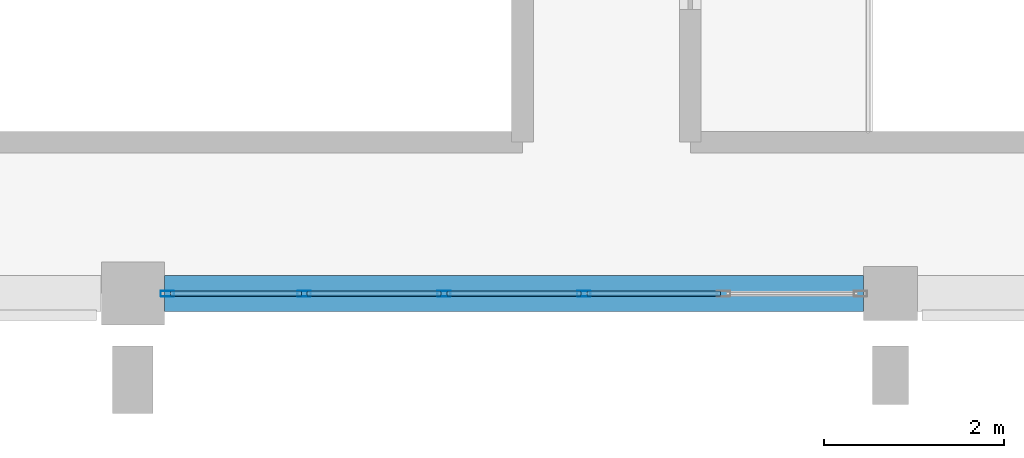
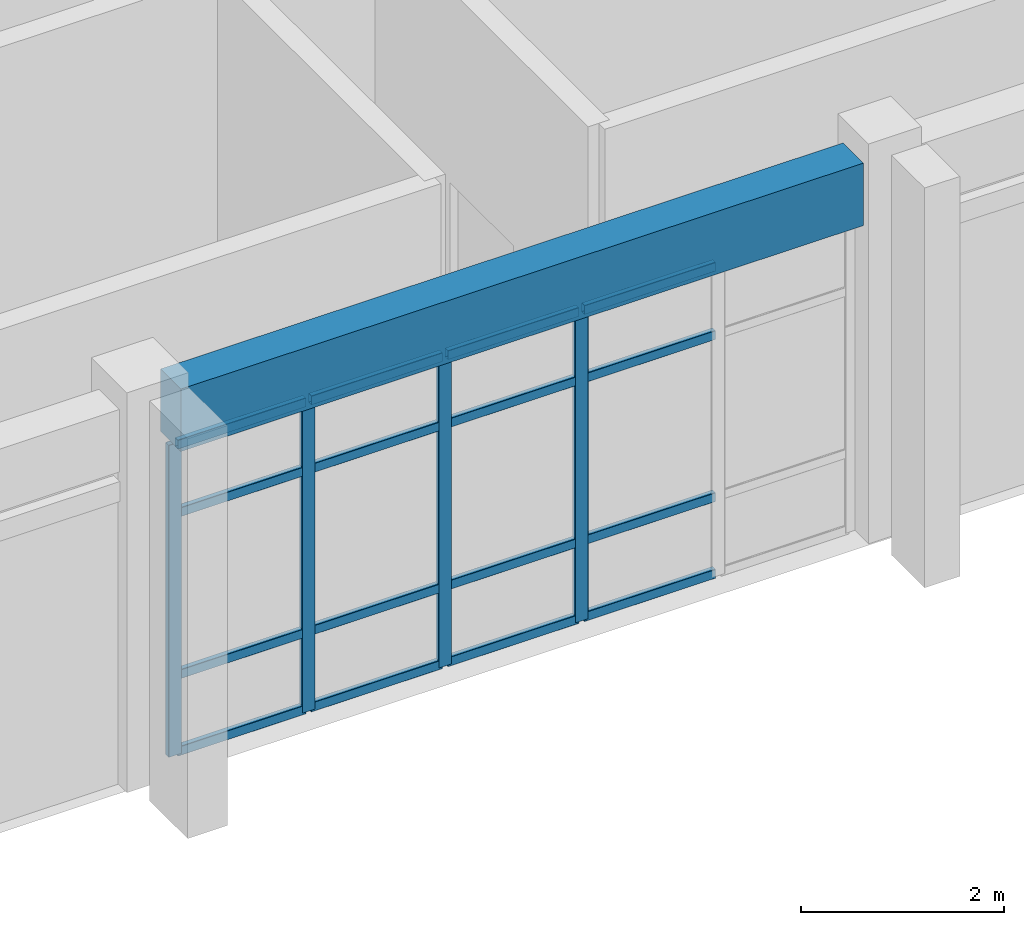
# One storey, part 8 of 98: 20 members, 1 beam, 1 element without a shape of its own.
"""IFC4 building model written with IfcOpenShell, lengths in metres."""

from ifc_helpers import new_model, si_unit, direction, frame, origin, origin_2d, place, context, subcontext, project, spatial, rectangle, hollow_rectangle, extrude, material, material_profile, profile_set, type_object, element, aggregate, save


model = new_model("IFC4")

# Units and contexts
model_context = context("Model", 3, precision=1e-05, world=origin(), true_north=direction((0.0, 1.0)))
body_context = subcontext(model_context, "Body", "Model", "MODEL_VIEW")
ifc_project = project(units=[si_unit("LENGTHUNIT", "METRE"), si_unit("AREAUNIT", "SQUARE_METRE"), si_unit("VOLUMEUNIT", "CUBIC_METRE"), si_unit("PLANEANGLEUNIT", "RADIAN"), si_unit("MASSUNIT", "GRAM", prefix="KILO")], contexts=[model_context])

# Site, building, storey
site_placement = place(None, origin())
site = spatial("IfcSite", under=ifc_project, at=site_placement, CompositionType="ELEMENT")
building_placement = place(site_placement, origin())
building = spatial("IfcBuilding", under=site, at=building_placement, Name="Canglan Escarpment Cableway Terminal", CompositionType="ELEMENT")
storey_placement = place(building_placement, frame((0.0, 0.0, 9.60009765625)))
storey = spatial("IfcBuildingStorey", under=building, at=storey_placement, Name="L02", CompositionType="ELEMENT", Elevation=9.60009765625)

# Curtain wall, members
ifc_material_1 = material(Name="Anodized bronze aluminium and Low-E double glazing", Category="aluminium")
curtain_wall_type = type_object("IfcCurtainWallType", Name="CW-BAY-7750x3750", PredefinedType="NOTDEFINED", material=ifc_material_1)
curtain_wall_placement = place(storey_placement, origin())
curtain_wall = element("IfcCurtainWall", 1, at=curtain_wall_placement, inside=storey, type_object=curtain_wall_type, Name="Classical bay-between-piers glazed curtain wall CW-07", PredefinedType="NOTDEFINED")
ifc_material_2 = material(Name="Thermally broken anodized aluminium 6063-T6", Category="aluminium")
ifc_material_profile_1 = material_profile(ifc_material_2, hollow_rectangle(XDim=0.06494140625, YDim=0.14990234375, WallThickness=0.00341796875, InnerFilletRadius=0.00341796875, OuterFilletRadius=0.007080078125, at=origin_2d()), Name="ALU-MULL 65x150x3.5")
ifc_profile_set_1 = profile_set([ifc_material_profile_1], Name="Thermally broken anodized aluminium 6063-T6")
member_type_1 = type_object("IfcMemberType", Name="CWM-02", PredefinedType="MULLION", material=ifc_profile_set_1)
member_1_placement = place(storey_placement, frame((59.6826171875, 8.0, 0.0), z_axis=(0.0, 0.0, 1.0), x_axis=(0.0, 1.0, 0.0)))
member_1 = element("IfcMember", 2, at=member_1_placement, type_object=member_type_1, Name="CW-07 mullion 1", PredefinedType="MULLION", context=body_context, shape_type="SweptSolid", body=[
    extrude(hollow_rectangle(XDim=0.06494140625, YDim=0.14990234375, WallThickness=0.00341796875, InnerFilletRadius=0.00341796875, OuterFilletRadius=0.007080078125, at=origin_2d()), origin(), (0.0, 0.0, 1.0), 3.744873046875),
])
member_2_placement = place(storey_placement, frame((61.199951171875, 8.0, 0.0), z_axis=(0.0, 0.0, 1.0), x_axis=(0.0, 1.0, 0.0)))
member_2 = element("IfcMember", 3, at=member_2_placement, type_object=member_type_1, Name="CW-07 mullion 2", PredefinedType="MULLION", context=body_context, shape_type="SweptSolid", body=[
    extrude(hollow_rectangle(XDim=0.06494140625, YDim=0.14990234375, WallThickness=0.00341796875, InnerFilletRadius=0.00341796875, OuterFilletRadius=0.007080078125, at=origin_2d()), origin(), (0.0, 0.0, 1.0), 3.744873046875),
])
member_3_placement = place(storey_placement, frame((62.75, 8.0, 0.0), z_axis=(0.0, 0.0, 1.0), x_axis=(0.0, 1.0, 0.0)))
member_3 = element("IfcMember", 4, at=member_3_placement, type_object=member_type_1, Name="CW-07 mullion 3", PredefinedType="MULLION", context=body_context, shape_type="SweptSolid", body=[
    extrude(hollow_rectangle(XDim=0.06494140625, YDim=0.14990234375, WallThickness=0.00341796875, InnerFilletRadius=0.00341796875, OuterFilletRadius=0.007080078125, at=origin_2d()), origin(), (0.0, 0.0, 1.0), 3.744873046875),
])
member_4_placement = place(storey_placement, frame((64.300048828125, 8.0, 0.0), z_axis=(0.0, 0.0, 1.0), x_axis=(0.0, 1.0, 0.0)))
member_4 = element("IfcMember", 5, at=member_4_placement, type_object=member_type_1, Name="CW-07 mullion 4", PredefinedType="MULLION", context=body_context, shape_type="SweptSolid", body=[
    extrude(hollow_rectangle(XDim=0.06494140625, YDim=0.14990234375, WallThickness=0.00341796875, InnerFilletRadius=0.00341796875, OuterFilletRadius=0.007080078125, at=origin_2d()), origin(), (0.0, 0.0, 1.0), 3.744873046875),
])
ifc_material_profile_2 = material_profile(ifc_material_2, hollow_rectangle(XDim=0.06005859375, YDim=0.110107421875, WallThickness=0.0029296875, InnerFilletRadius=0.0029296875, OuterFilletRadius=0.006103515625, at=origin_2d()), Name="ALU-TRAN 60x110x3")
ifc_profile_set_2 = profile_set([ifc_material_profile_2], Name="Thermally broken anodized aluminium 6063-T6")
member_type_2 = type_object("IfcMemberType", Name="CWT-02", PredefinedType="USERDEFINED", material=ifc_profile_set_2)
member_5_placement = place(storey_placement, frame((59.715087890625, 8.0, 0.02978515625), z_axis=(1.0, 0.0, 0.0), x_axis=(0.0, 1.0, 0.0)))
member_5 = element("IfcMember", 6, at=member_5_placement, type_object=member_type_2, Name="CW-07 transom 1.1", ObjectType="TRANSOM", PredefinedType="USERDEFINED", context=body_context, shape_type="SweptSolid", body=[
    extrude(hollow_rectangle(XDim=0.06005859375, YDim=0.110107421875, WallThickness=0.0029296875, InnerFilletRadius=0.0029296875, OuterFilletRadius=0.006103515625, at=origin_2d()), origin(), (0.0, 0.0, 1.0), 1.452392578125),
])
member_6_placement = place(storey_placement, frame((59.715087890625, 8.0, 0.949951171875), z_axis=(1.0, 0.0, 0.0), x_axis=(0.0, 1.0, 0.0)))
member_6 = element("IfcMember", 7, at=member_6_placement, type_object=member_type_2, Name="CW-07 transom 1.2", ObjectType="TRANSOM", PredefinedType="USERDEFINED", context=body_context, shape_type="SweptSolid", body=[
    extrude(hollow_rectangle(XDim=0.06005859375, YDim=0.110107421875, WallThickness=0.0029296875, InnerFilletRadius=0.0029296875, OuterFilletRadius=0.006103515625, at=origin_2d()), origin(), (0.0, 0.0, 1.0), 1.452392578125),
])
member_7_placement = place(storey_placement, frame((59.715087890625, 8.0, 2.89501953125), z_axis=(1.0, 0.0, 0.0), x_axis=(0.0, 1.0, 0.0)))
member_7 = element("IfcMember", 8, at=member_7_placement, type_object=member_type_2, Name="CW-07 transom 1.3", ObjectType="TRANSOM", PredefinedType="USERDEFINED", context=body_context, shape_type="SweptSolid", body=[
    extrude(hollow_rectangle(XDim=0.06005859375, YDim=0.110107421875, WallThickness=0.0029296875, InnerFilletRadius=0.0029296875, OuterFilletRadius=0.006103515625, at=origin_2d()), origin(), (0.0, 0.0, 1.0), 1.452392578125),
])
member_8_placement = place(storey_placement, frame((59.715087890625, 8.0, 3.71484375), z_axis=(1.0, 0.0, 0.0), x_axis=(0.0, 1.0, 0.0)))
member_8 = element("IfcMember", 9, at=member_8_placement, type_object=member_type_2, Name="CW-07 transom 1.4", ObjectType="TRANSOM", PredefinedType="USERDEFINED", context=body_context, shape_type="SweptSolid", body=[
    extrude(hollow_rectangle(XDim=0.06005859375, YDim=0.110107421875, WallThickness=0.0029296875, InnerFilletRadius=0.0029296875, OuterFilletRadius=0.006103515625, at=origin_2d()), origin(), (0.0, 0.0, 1.0), 1.452392578125),
])
member_9_placement = place(storey_placement, frame((61.232421875, 8.0, 0.02978515625), z_axis=(1.0, 0.0, 0.0), x_axis=(0.0, 1.0, 0.0)))
member_9 = element("IfcMember", 10, at=member_9_placement, type_object=member_type_2, Name="CW-07 transom 2.1", ObjectType="TRANSOM", PredefinedType="USERDEFINED", context=body_context, shape_type="SweptSolid", body=[
    extrude(hollow_rectangle(XDim=0.06005859375, YDim=0.110107421875, WallThickness=0.0029296875, InnerFilletRadius=0.0029296875, OuterFilletRadius=0.006103515625, at=origin_2d()), origin(), (0.0, 0.0, 1.0), 1.485107421875),
])
member_10_placement = place(storey_placement, frame((61.232421875, 8.0, 0.949951171875), z_axis=(1.0, 0.0, 0.0), x_axis=(0.0, 1.0, 0.0)))
member_10 = element("IfcMember", 11, at=member_10_placement, type_object=member_type_2, Name="CW-07 transom 2.2", ObjectType="TRANSOM", PredefinedType="USERDEFINED", context=body_context, shape_type="SweptSolid", body=[
    extrude(hollow_rectangle(XDim=0.06005859375, YDim=0.110107421875, WallThickness=0.0029296875, InnerFilletRadius=0.0029296875, OuterFilletRadius=0.006103515625, at=origin_2d()), origin(), (0.0, 0.0, 1.0), 1.485107421875),
])
member_11_placement = place(storey_placement, frame((61.232421875, 8.0, 2.89501953125), z_axis=(1.0, 0.0, 0.0), x_axis=(0.0, 1.0, 0.0)))
member_11 = element("IfcMember", 12, at=member_11_placement, type_object=member_type_2, Name="CW-07 transom 2.3", ObjectType="TRANSOM", PredefinedType="USERDEFINED", context=body_context, shape_type="SweptSolid", body=[
    extrude(hollow_rectangle(XDim=0.06005859375, YDim=0.110107421875, WallThickness=0.0029296875, InnerFilletRadius=0.0029296875, OuterFilletRadius=0.006103515625, at=origin_2d()), origin(), (0.0, 0.0, 1.0), 1.485107421875),
])
member_12_placement = place(storey_placement, frame((61.232421875, 8.0, 3.71484375), z_axis=(1.0, 0.0, 0.0), x_axis=(0.0, 1.0, 0.0)))
member_12 = element("IfcMember", 13, at=member_12_placement, type_object=member_type_2, Name="CW-07 transom 2.4", ObjectType="TRANSOM", PredefinedType="USERDEFINED", context=body_context, shape_type="SweptSolid", body=[
    extrude(hollow_rectangle(XDim=0.06005859375, YDim=0.110107421875, WallThickness=0.0029296875, InnerFilletRadius=0.0029296875, OuterFilletRadius=0.006103515625, at=origin_2d()), origin(), (0.0, 0.0, 1.0), 1.485107421875),
])
member_13_placement = place(storey_placement, frame((62.782470703125, 8.0, 0.02978515625), z_axis=(1.0, 0.0, 0.0), x_axis=(0.0, 1.0, 0.0)))
member_13 = element("IfcMember", 14, at=member_13_placement, type_object=member_type_2, Name="CW-07 transom 3.1", ObjectType="TRANSOM", PredefinedType="USERDEFINED", context=body_context, shape_type="SweptSolid", body=[
    extrude(hollow_rectangle(XDim=0.06005859375, YDim=0.110107421875, WallThickness=0.0029296875, InnerFilletRadius=0.0029296875, OuterFilletRadius=0.006103515625, at=origin_2d()), origin(), (0.0, 0.0, 1.0), 1.485107421875),
])
member_14_placement = place(storey_placement, frame((62.782470703125, 8.0, 0.949951171875), z_axis=(1.0, 0.0, 0.0), x_axis=(0.0, 1.0, 0.0)))
member_14 = element("IfcMember", 15, at=member_14_placement, type_object=member_type_2, Name="CW-07 transom 3.2", ObjectType="TRANSOM", PredefinedType="USERDEFINED", context=body_context, shape_type="SweptSolid", body=[
    extrude(hollow_rectangle(XDim=0.06005859375, YDim=0.110107421875, WallThickness=0.0029296875, InnerFilletRadius=0.0029296875, OuterFilletRadius=0.006103515625, at=origin_2d()), origin(), (0.0, 0.0, 1.0), 1.485107421875),
])
member_15_placement = place(storey_placement, frame((62.782470703125, 8.0, 2.89501953125), z_axis=(1.0, 0.0, 0.0), x_axis=(0.0, 1.0, 0.0)))
member_15 = element("IfcMember", 16, at=member_15_placement, type_object=member_type_2, Name="CW-07 transom 3.3", ObjectType="TRANSOM", PredefinedType="USERDEFINED", context=body_context, shape_type="SweptSolid", body=[
    extrude(hollow_rectangle(XDim=0.06005859375, YDim=0.110107421875, WallThickness=0.0029296875, InnerFilletRadius=0.0029296875, OuterFilletRadius=0.006103515625, at=origin_2d()), origin(), (0.0, 0.0, 1.0), 1.485107421875),
])
member_16_placement = place(storey_placement, frame((62.782470703125, 8.0, 3.71484375), z_axis=(1.0, 0.0, 0.0), x_axis=(0.0, 1.0, 0.0)))
member_16 = element("IfcMember", 17, at=member_16_placement, type_object=member_type_2, Name="CW-07 transom 3.4", ObjectType="TRANSOM", PredefinedType="USERDEFINED", context=body_context, shape_type="SweptSolid", body=[
    extrude(hollow_rectangle(XDim=0.06005859375, YDim=0.110107421875, WallThickness=0.0029296875, InnerFilletRadius=0.0029296875, OuterFilletRadius=0.006103515625, at=origin_2d()), origin(), (0.0, 0.0, 1.0), 1.485107421875),
])
member_17_placement = place(storey_placement, frame((64.33251953125, 8.0, 0.02978515625), z_axis=(1.0, 0.0, 0.0), x_axis=(0.0, 1.0, 0.0)))
member_17 = element("IfcMember", 18, at=member_17_placement, type_object=member_type_2, Name="CW-07 transom 4.1", ObjectType="TRANSOM", PredefinedType="USERDEFINED", context=body_context, shape_type="SweptSolid", body=[
    extrude(hollow_rectangle(XDim=0.06005859375, YDim=0.110107421875, WallThickness=0.0029296875, InnerFilletRadius=0.0029296875, OuterFilletRadius=0.006103515625, at=origin_2d()), origin(), (0.0, 0.0, 1.0), 1.48486328125),
])
member_18_placement = place(storey_placement, frame((64.33251953125, 8.0, 0.949951171875), z_axis=(1.0, 0.0, 0.0), x_axis=(0.0, 1.0, 0.0)))
member_18 = element("IfcMember", 19, at=member_18_placement, type_object=member_type_2, Name="CW-07 transom 4.2", ObjectType="TRANSOM", PredefinedType="USERDEFINED", context=body_context, shape_type="SweptSolid", body=[
    extrude(hollow_rectangle(XDim=0.06005859375, YDim=0.110107421875, WallThickness=0.0029296875, InnerFilletRadius=0.0029296875, OuterFilletRadius=0.006103515625, at=origin_2d()), origin(), (0.0, 0.0, 1.0), 1.48486328125),
])
member_19_placement = place(storey_placement, frame((64.33251953125, 8.0, 2.89501953125), z_axis=(1.0, 0.0, 0.0), x_axis=(0.0, 1.0, 0.0)))
member_19 = element("IfcMember", 20, at=member_19_placement, type_object=member_type_2, Name="CW-07 transom 4.3", ObjectType="TRANSOM", PredefinedType="USERDEFINED", context=body_context, shape_type="SweptSolid", body=[
    extrude(hollow_rectangle(XDim=0.06005859375, YDim=0.110107421875, WallThickness=0.0029296875, InnerFilletRadius=0.0029296875, OuterFilletRadius=0.006103515625, at=origin_2d()), origin(), (0.0, 0.0, 1.0), 1.48486328125),
])
member_20_placement = place(storey_placement, frame((64.33251953125, 8.0, 3.71484375), z_axis=(1.0, 0.0, 0.0), x_axis=(0.0, 1.0, 0.0)))
member_20 = element("IfcMember", 21, at=member_20_placement, type_object=member_type_2, Name="CW-07 transom 4.4", ObjectType="TRANSOM", PredefinedType="USERDEFINED", context=body_context, shape_type="SweptSolid", body=[
    extrude(hollow_rectangle(XDim=0.06005859375, YDim=0.110107421875, WallThickness=0.0029296875, InnerFilletRadius=0.0029296875, OuterFilletRadius=0.006103515625, at=origin_2d()), origin(), (0.0, 0.0, 1.0), 1.48486328125),
])
aggregate(curtain_wall, [member_1, member_2, member_3, member_4, member_5, member_6, member_7, member_8, member_9, member_10, member_11, member_12, member_13, member_14, member_15, member_16, member_17, member_18, member_19, member_20])

# Beam
ifc_material_3 = material(Name="Concrete C40", Category="concrete")
ifc_material_profile_3 = material_profile(ifc_material_3, rectangle(XDim=0.39990234375, YDim=0.75, at=origin_2d()), Name="RC 400x750")
ifc_profile_set_3 = profile_set([ifc_material_profile_3], Name="Concrete C40")
beam_type = type_object("IfcBeamType", Name="SP-RC400x750", PredefinedType="SPANDREL", material=ifc_profile_set_3)
beam_placement = place(storey_placement, frame((59.64990234375, 8.0, 4.135009765625), z_axis=(1.0, 0.0, 0.0), x_axis=(0.0, 1.0, 0.0)))
element("IfcBeam", 22, at=beam_placement, inside=storey, type_object=beam_type, Name="Primary structural girder SP-01", PredefinedType="SPANDREL", context=body_context, shape_type="SweptSolid", body=[
    extrude(rectangle(XDim=0.39990234375, YDim=0.75, at=origin_2d()), origin(), (0.0, 0.0, 1.0), 7.75),
])

save(model, "model.ifc")
